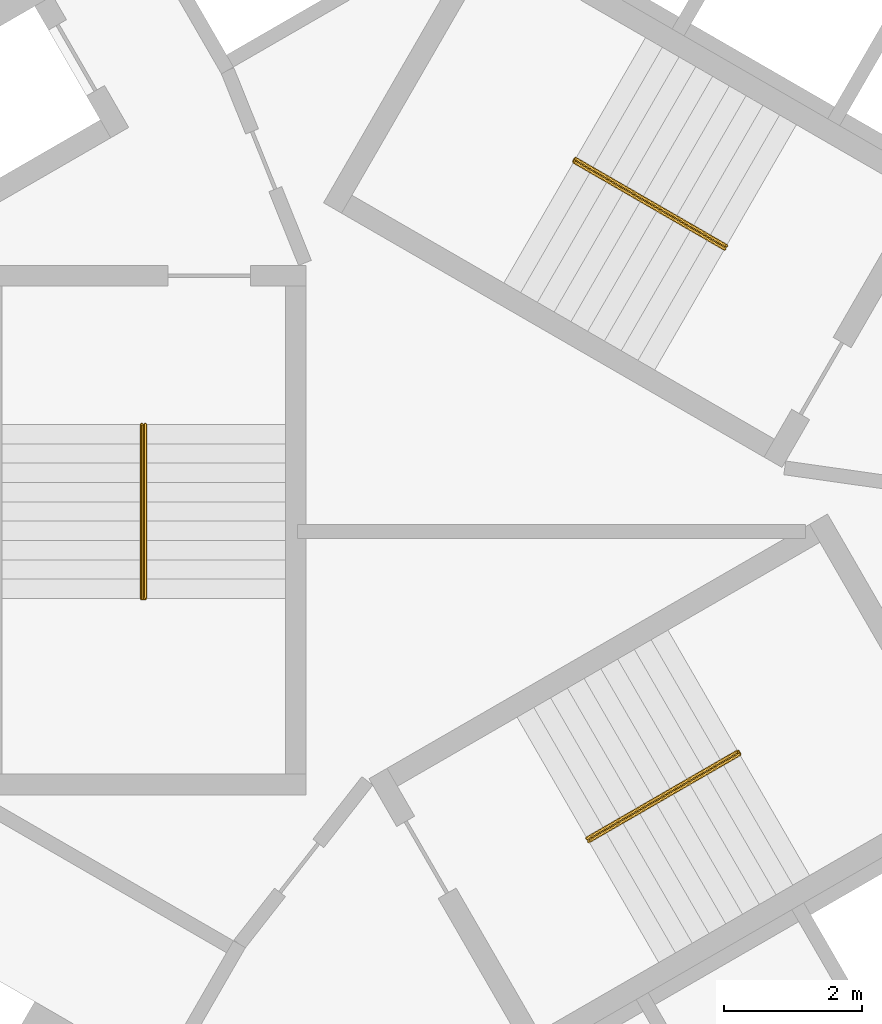
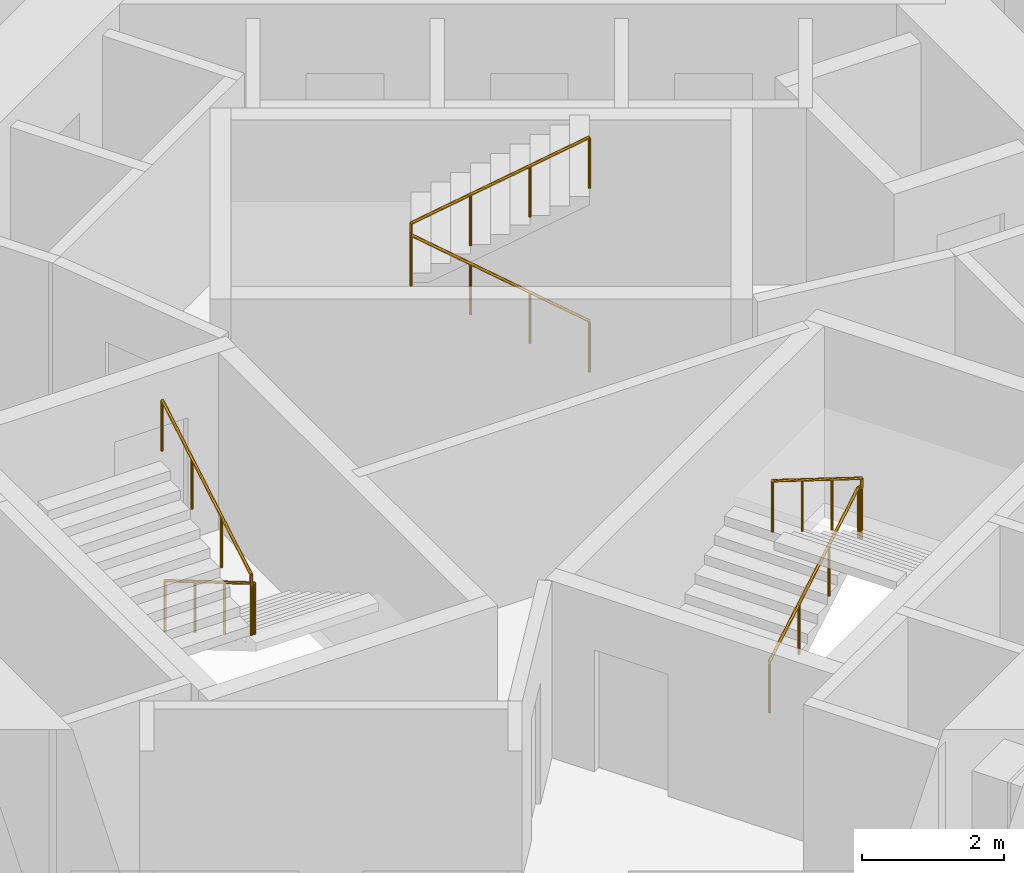
# One storey, part 11 of 11: 3 railings.
"""IFC4 building model written with IfcOpenShell, lengths in metres."""

from ifc_helpers import new_model, si_unit, direction, frame, origin, origin_2d, place, context, subcontext, project, spatial, circle, extrude, material, type_object, element, save


model = new_model("IFC4")

# Units and contexts
model_context = context("Model", 3, precision=1e-05, world=origin(), true_north=direction((0.0, 1.0)))
body_context = subcontext(model_context, "Body", "Model", "MODEL_VIEW")
ifc_project = project(units=[si_unit("LENGTHUNIT", "METRE"), si_unit("AREAUNIT", "SQUARE_METRE"), si_unit("VOLUMEUNIT", "CUBIC_METRE"), si_unit("PLANEANGLEUNIT", "RADIAN"), si_unit("MASSUNIT", "GRAM", prefix="KILO")], contexts=[model_context])

# Site, building, storey
site_placement = place(None, origin())
site = spatial("IfcSite", under=ifc_project, at=site_placement, CompositionType="ELEMENT")
building_placement = place(site_placement, origin())
building = spatial("IfcBuilding", under=site, at=building_placement, Name="Vanh Sen Convention Tower", CompositionType="ELEMENT")
storey_placement = place(building_placement, frame((0.0, 0.0, 100.10009765625)))
storey = spatial("IfcBuildingStorey", under=building, at=storey_placement, Name="L23", CompositionType="ELEMENT", Elevation=100.10009765625)

# Railings
ifc_material = material(Name="Stainless steel handrail", Category="steel")
railing_type = type_object("IfcRailingType", Name="Stair handrail 900", PredefinedType="HANDRAIL", material=ifc_material)
railing_1_placement = place(storey_placement, frame((3.45849609375, 3.690185546875, 0.164794921875)))
element("IfcRailing", 1, at=railing_1_placement, inside=storey, type_object=railing_type, Name="Stair handrail ST1 L23", PredefinedType="HANDRAIL", context=body_context, shape_type="SweptSolid", body=[
    extrude(circle(Radius=0.02392578125, at=origin_2d()), frame((0.0, 0.0, 0.8759765625), z_axis=(-0.746134546661, 0.430738299252, 0.507688640642), x_axis=(-0.499962843328, -0.866046855136, 0.0)), (0.0, 0.0, 1.0), 2.92529296875),
    extrude(circle(Radius=0.02392578125, at=origin_2d()), frame((-2.1826171875, 1.260009765625, 2.36083984375), z_axis=(0.502959906984, 0.86430974307, 0.0), x_axis=(-0.86430974307, 0.502959906984, 0.0)), (0.0, 0.0, 1.0), 0.050048828125),
    extrude(circle(Radius=0.02392578125, at=origin_2d()), frame((-2.157470703125, 1.30322265625, 2.36083984375), z_axis=(0.0, 0.0, 1.0), x_axis=(1.0, 0.0, 0.0)), (0.0, 0.0, 1.0), 0.1650390625),
    extrude(circle(Radius=0.02392578125, at=origin_2d()), frame((-2.157470703125, 1.30322265625, 2.52587890625), z_axis=(0.746129163535, -0.430783377672, 0.507658303235), x_axis=(0.500004791531, 0.866022637375, 0.0)), (0.0, 0.0, 1.0), 2.9248046875),
    extrude(circle(Radius=0.02099609375, at=origin_2d()), origin(), (0.0, 0.0, 1.0), 0.851806640625),
    extrude(circle(Radius=0.02099609375, at=origin_2d()), frame((-0.7275390625, 0.419921875, 0.4951171875)), (0.0, 0.0, 1.0), 0.851806640625),
    extrude(circle(Radius=0.02099609375, at=origin_2d()), frame((-1.455078125, 0.840087890625, 0.989990234375)), (0.0, 0.0, 1.0), 0.851806640625),
    extrude(circle(Radius=0.02099609375, at=origin_2d()), frame((-2.1826171875, 1.260009765625, 1.485107421875)), (0.0, 0.0, 1.0), 0.851806640625),
    extrude(circle(Radius=0.02099609375, at=origin_2d()), frame((-2.157470703125, 1.30322265625, 1.485107421875)), (0.0, 0.0, 1.0), 0.851806640625),
    extrude(circle(Radius=0.02099609375, at=origin_2d()), frame((-2.157470703125, 1.30322265625, 1.650146484375)), (0.0, 0.0, 1.0), 0.851806640625),
    extrude(circle(Radius=0.02099609375, at=origin_2d()), frame((-1.429931640625, 0.88330078125, 2.14501953125)), (0.0, 0.0, 1.0), 0.851806640625),
    extrude(circle(Radius=0.02099609375, at=origin_2d()), frame((-0.70263671875, 0.463134765625, 2.64013671875)), (0.0, 0.0, 1.0), 0.851806640625),
    extrude(circle(Radius=0.02099609375, at=origin_2d()), frame((0.02490234375, 0.043212890625, 3.135009765625)), (0.0, 0.0, 1.0), 0.851806640625),
])
railing_2_placement = place(storey_placement, frame((-4.925048828125, 1.14990234375, 0.164794921875)))
element("IfcRailing", 2, at=railing_2_placement, inside=storey, type_object=railing_type, Name="Stair handrail ST2 L23", PredefinedType="HANDRAIL", context=body_context, shape_type="SweptSolid", body=[
    extrude(circle(Radius=0.02392578125, at=origin_2d()), frame((0.0, 0.0, 0.8759765625), z_axis=(0.0, -0.86152411907, 0.507716645641), x_axis=(1.0, 0.0, 0.0)), (0.0, 0.0, 1.0), 2.925048828125),
    extrude(circle(Radius=0.02392578125, at=origin_2d()), frame((0.0, -2.52001953125, 2.36083984375), z_axis=(-1.0, 0.0, 0.0), x_axis=(0.0, -1.0, 0.0)), (0.0, 0.0, 1.0), 0.050048828125),
    extrude(circle(Radius=0.02392578125, at=origin_2d()), frame((-0.050048828125, -2.52001953125, 2.36083984375), z_axis=(0.0, 0.0, 1.0), x_axis=(1.0, 0.0, 0.0)), (0.0, 0.0, 1.0), 0.1650390625),
    extrude(circle(Radius=0.02392578125, at=origin_2d()), frame((-0.050048828125, -2.52001953125, 2.52587890625), z_axis=(0.0, 0.861560626758, 0.507654692109), x_axis=(-1.0, 0.0, 0.0)), (0.0, 0.0, 1.0), 2.925048828125),
    extrude(circle(Radius=0.02099609375, at=origin_2d()), origin(), (0.0, 0.0, 1.0), 0.851806640625),
    extrude(circle(Radius=0.02099609375, at=origin_2d()), frame((0.0, -0.840087890625, 0.4951171875)), (0.0, 0.0, 1.0), 0.851806640625),
    extrude(circle(Radius=0.02099609375, at=origin_2d()), frame((0.0, -1.679931640625, 0.989990234375)), (0.0, 0.0, 1.0), 0.851806640625),
    extrude(circle(Radius=0.02099609375, at=origin_2d()), frame((0.0, -2.52001953125, 1.485107421875)), (0.0, 0.0, 1.0), 0.851806640625),
    extrude(circle(Radius=0.02099609375, at=origin_2d()), frame((-0.050048828125, -2.52001953125, 1.485107421875)), (0.0, 0.0, 1.0), 0.851806640625),
    extrude(circle(Radius=0.02099609375, at=origin_2d()), frame((-0.050048828125, -2.52001953125, 1.650146484375)), (0.0, 0.0, 1.0), 0.851806640625),
    extrude(circle(Radius=0.02099609375, at=origin_2d()), frame((-0.050048828125, -1.679931640625, 2.14501953125)), (0.0, 0.0, 1.0), 0.851806640625),
    extrude(circle(Radius=0.02099609375, at=origin_2d()), frame((-0.050048828125, -0.840087890625, 2.64013671875)), (0.0, 0.0, 1.0), 0.851806640625),
    extrude(circle(Radius=0.02099609375, at=origin_2d()), frame((-0.050048828125, 0.0, 3.135009765625)), (0.0, 0.0, 1.0), 0.851806640625),
])
railing_3_placement = place(storey_placement, frame((1.466552734375, -4.840087890625, 0.164794921875)))
element("IfcRailing", 3, at=railing_3_placement, inside=storey, type_object=railing_type, Name="Stair handrail ST3 L23", PredefinedType="HANDRAIL", context=body_context, shape_type="SweptSolid", body=[
    extrude(circle(Radius=0.02392578125, at=origin_2d()), frame((0.0, 0.0, 0.8759765625), z_axis=(0.746097546679, 0.430765123438, 0.507720256902), x_axis=(-0.500004791531, 0.866022637375, 0.0)), (0.0, 0.0, 1.0), 2.925048828125),
    extrude(circle(Radius=0.02392578125, at=origin_2d()), frame((2.182373046875, 1.260009765625, 2.36083984375), z_axis=(0.500844580232, -0.86553723574, 0.0), x_axis=(0.86553723574, 0.500844580232, 0.0)), (0.0, 0.0, 1.0), 0.05029296875),
    extrude(circle(Radius=0.02392578125, at=origin_2d()), frame((2.20751953125, 1.216552734375, 2.36083984375), z_axis=(0.0, 0.0, 1.0), x_axis=(1.0, 0.0, 0.0)), (0.0, 0.0, 1.0), 0.1650390625),
    extrude(circle(Radius=0.02392578125, at=origin_2d()), frame((2.20751953125, 1.216552734375, 2.52587890625), z_axis=(-0.746129163535, -0.430783377672, 0.507658303235), x_axis=(0.500004791531, -0.866022637375, 0.0)), (0.0, 0.0, 1.0), 2.9248046875),
    extrude(circle(Radius=0.02099609375, at=origin_2d()), origin(), (0.0, 0.0, 1.0), 0.851806640625),
    extrude(circle(Radius=0.02099609375, at=origin_2d()), frame((0.7275390625, 0.419921875, 0.4951171875)), (0.0, 0.0, 1.0), 0.851806640625),
    extrude(circle(Radius=0.02099609375, at=origin_2d()), frame((1.454833984375, 0.840087890625, 0.989990234375)), (0.0, 0.0, 1.0), 0.851806640625),
    extrude(circle(Radius=0.02099609375, at=origin_2d()), frame((2.182373046875, 1.260009765625, 1.485107421875)), (0.0, 0.0, 1.0), 0.851806640625),
    extrude(circle(Radius=0.02099609375, at=origin_2d()), frame((2.20751953125, 1.216552734375, 1.485107421875)), (0.0, 0.0, 1.0), 0.851806640625),
    extrude(circle(Radius=0.02099609375, at=origin_2d()), frame((2.20751953125, 1.216552734375, 1.650146484375)), (0.0, 0.0, 1.0), 0.851806640625),
    extrude(circle(Radius=0.02099609375, at=origin_2d()), frame((1.47998046875, 0.796630859375, 2.14501953125)), (0.0, 0.0, 1.0), 0.851806640625),
    extrude(circle(Radius=0.02099609375, at=origin_2d()), frame((0.752685546875, 0.37646484375, 2.64013671875)), (0.0, 0.0, 1.0), 0.851806640625),
    extrude(circle(Radius=0.02099609375, at=origin_2d()), frame((0.025146484375, -0.04345703125, 3.135009765625)), (0.0, 0.0, 1.0), 0.851806640625),
])

save(model, "model.ifc")
